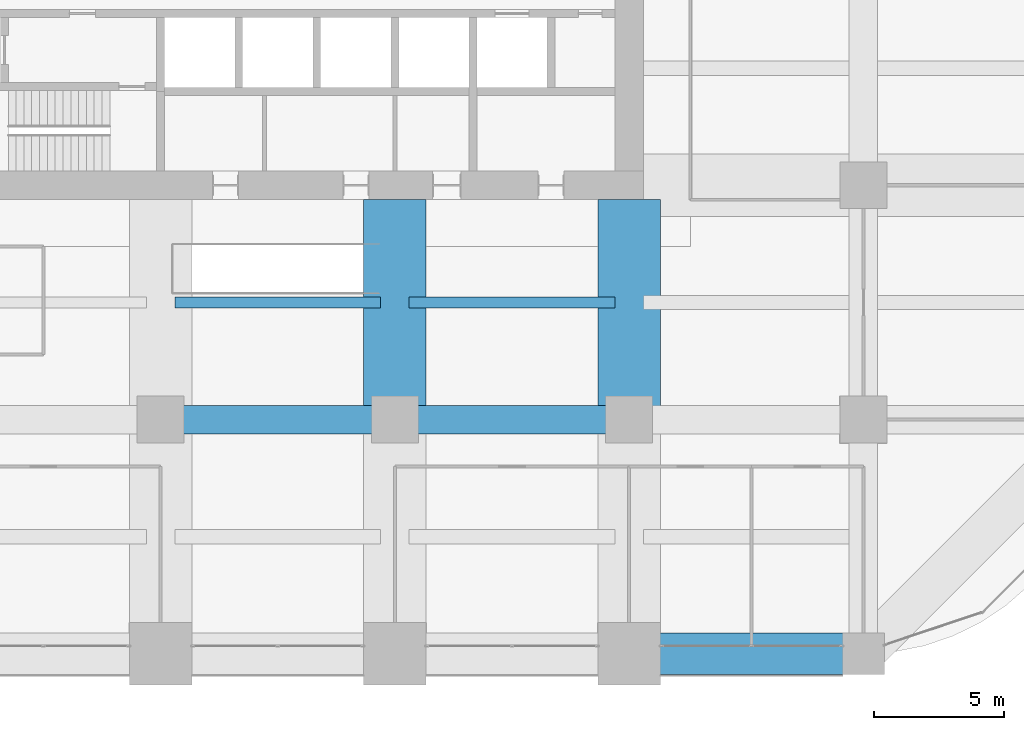
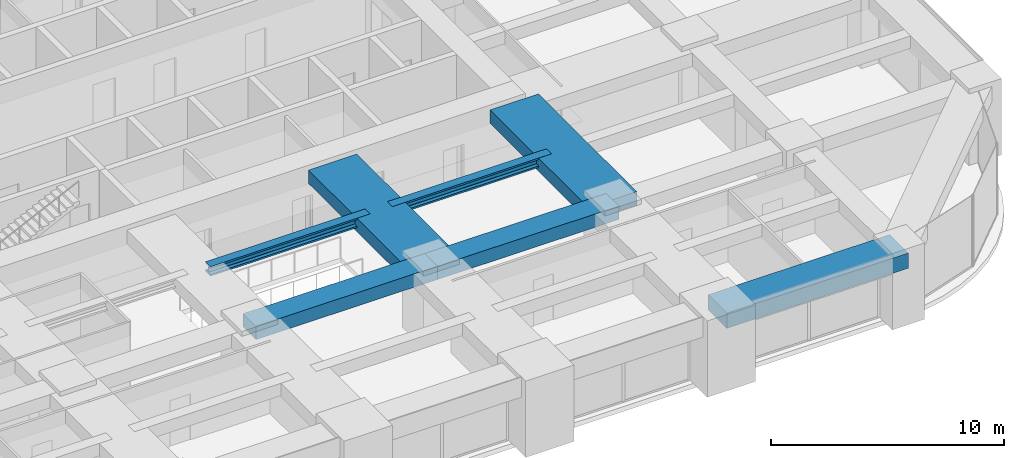
# One storey, part 15 of 43: 7 beams.
"""IFC4 building model written with IfcOpenShell, lengths in metres."""

from ifc_helpers import new_model, si_unit, direction, frame, origin, origin_2d, place, context, subcontext, project, spatial, rectangle, i_section, extrude, material, material_profile, profile_set, type_object, element, save


model = new_model("IFC4")

# Units and contexts
model_context = context("Model", 3, precision=1e-05, world=origin(), true_north=direction((0.0, 1.0)))
body_context = subcontext(model_context, "Body", "Model", "MODEL_VIEW")
ifc_project = project(units=[si_unit("LENGTHUNIT", "METRE"), si_unit("AREAUNIT", "SQUARE_METRE"), si_unit("VOLUMEUNIT", "CUBIC_METRE"), si_unit("PLANEANGLEUNIT", "RADIAN"), si_unit("MASSUNIT", "GRAM", prefix="KILO")], contexts=[model_context])

# Site, building, storey
site_placement = place(None, origin())
site = spatial("IfcSite", under=ifc_project, at=site_placement, CompositionType="ELEMENT")
building_placement = place(site_placement, origin())
building = spatial("IfcBuilding", under=site, at=building_placement, Name="Zorevar Civic Tower", CompositionType="ELEMENT")
storey_placement = place(building_placement, frame((0.0, 0.0, 141.0)))
storey = spatial("IfcBuildingStorey", under=building, at=storey_placement, Name="L34", CompositionType="ELEMENT", Elevation=141.0)

# Beams
ifc_material_1 = material(Name="Concrete C50/60", Category="concrete")
ifc_material_profile_1 = material_profile(ifc_material_1, rectangle(XDim=1.10009765625, YDim=0.699951171875, at=origin_2d()), Name="RC 1100x700")
ifc_profile_set_1 = profile_set([ifc_material_profile_1], Name="Concrete C50/60")
beam_type_1 = type_object("IfcBeamType", Name="Beam RC 1100x700", PredefinedType="BEAM", material=ifc_profile_set_1)
for number, where, z_axis, x_axis, name in (
    (1, (27.0, 9.0, 3.39990234375), (1.0, 0.0, 0.0), (0.0, 1.0, 0.0), "Girder L35"),
    (2, (36.0, 9.0, 3.39990234375), (1.0, 0.0, 0.0), (0.0, 1.0, 0.0), "Girder L35"),
):
    element("IfcBeam", number, at=place(storey_placement, frame(where, z_axis=z_axis, x_axis=x_axis)), inside=storey, type_object=beam_type_1, Name=name, PredefinedType="BEAM", context=body_context, shape_type="SweptSolid", body=[
        extrude(rectangle(XDim=1.10009765625, YDim=0.699951171875, at=origin_2d()), origin(), (0.0, 0.0, 1.0), 9.0),
    ])
ifc_material_2 = material(Name="Concrete C50/60", Category="concrete")
ifc_material_profile_2 = material_profile(ifc_material_2, rectangle(XDim=2.39990234375, YDim=0.699951171875, at=origin_2d()), Name="RC 2400x700")
ifc_profile_set_2 = profile_set([ifc_material_profile_2], Name="Concrete C50/60")
beam_type_2 = type_object("IfcBeamType", Name="Beam RC 2400x700", PredefinedType="BEAM", material=ifc_profile_set_2)
for number, where, z_axis, x_axis, name in (
    (3, (36.0, 9.0, 3.39990234375), (0.0, 1.0, 0.0), (-1.0, 0.0, 0.0), "Girder L35"),
    (4, (45.0, 9.0, 3.39990234375), (0.0, 1.0, 0.0), (-1.0, 0.0, 0.0), "Girder L35"),
):
    element("IfcBeam", number, at=place(storey_placement, frame(where, z_axis=z_axis, x_axis=x_axis)), inside=storey, type_object=beam_type_2, Name=name, PredefinedType="BEAM", context=body_context, shape_type="SweptSolid", body=[
        extrude(rectangle(XDim=2.39990234375, YDim=0.699951171875, at=origin_2d()), origin(), (0.0, 0.0, 1.0), 8.449951171875),
    ])
ifc_material_3 = material(Name="Steel S460M (HISTAR 460)", Category="steel")
ifc_material_profile_3 = material_profile(ifc_material_3, i_section(OverallWidth=0.431884765625, OverallDepth=0.498046875, WebThickness=0.0556640625, FlangeThickness=0.0888671875, FilletRadius=0.014892578125, at=origin_2d()), Name="HD 400x744")
ifc_profile_set_3 = profile_set([ifc_material_profile_3], Name="Steel S460M (HISTAR 460)")
beam_type_3 = type_object("IfcBeamType", Name="Core bay beam HD 400x744", PredefinedType="BEAM", material=ifc_profile_set_3)
for number, where, z_axis, x_axis, name in (
    (5, (27.550048828125, 13.5, 3.5009765625), (1.0, 0.0, 0.0), (0.0, 1.0, 0.0), "Secondary beam L35"),
    (6, (36.550048828125, 13.5, 3.5009765625), (1.0, 0.0, 0.0), (0.0, 1.0, 0.0), "Secondary beam L35"),
):
    element("IfcBeam", number, at=place(storey_placement, frame(where, z_axis=z_axis, x_axis=x_axis)), inside=storey, type_object=beam_type_3, Name=name, PredefinedType="BEAM", context=body_context, shape_type="SweptSolid", body=[
        extrude(i_section(OverallWidth=0.431884765625, OverallDepth=0.498046875, WebThickness=0.0556640625, FlangeThickness=0.0888671875, FilletRadius=0.014892578125, at=origin_2d()), origin(), (0.0, 0.0, 1.0), 7.89990234375),
    ])
ifc_material_4 = material(Name="Concrete C50/60", Category="concrete")
ifc_material_profile_4 = material_profile(ifc_material_4, rectangle(XDim=1.60009765625, YDim=0.800048828125, at=origin_2d()), Name="RC 1600x800")
ifc_profile_set_4 = profile_set([ifc_material_profile_4], Name="Concrete C50/60")
beam_type_4 = type_object("IfcBeamType", Name="Edge beam RC 1600x800", PredefinedType="SPANDREL", material=ifc_profile_set_4)
beam_placement = place(storey_placement, frame((45.0, 0.0, 3.35009765625), z_axis=(1.0, 0.0, 0.0), x_axis=(0.0, 1.0, 0.0)))
element("IfcBeam", 7, at=beam_placement, inside=storey, type_object=beam_type_4, Name="Edge beam L35", PredefinedType="SPANDREL", context=body_context, shape_type="SweptSolid", body=[
    extrude(rectangle(XDim=1.60009765625, YDim=0.800048828125, at=origin_2d()), origin(), (0.0, 0.0, 1.0), 9.0),
])

save(model, "model.ifc")
